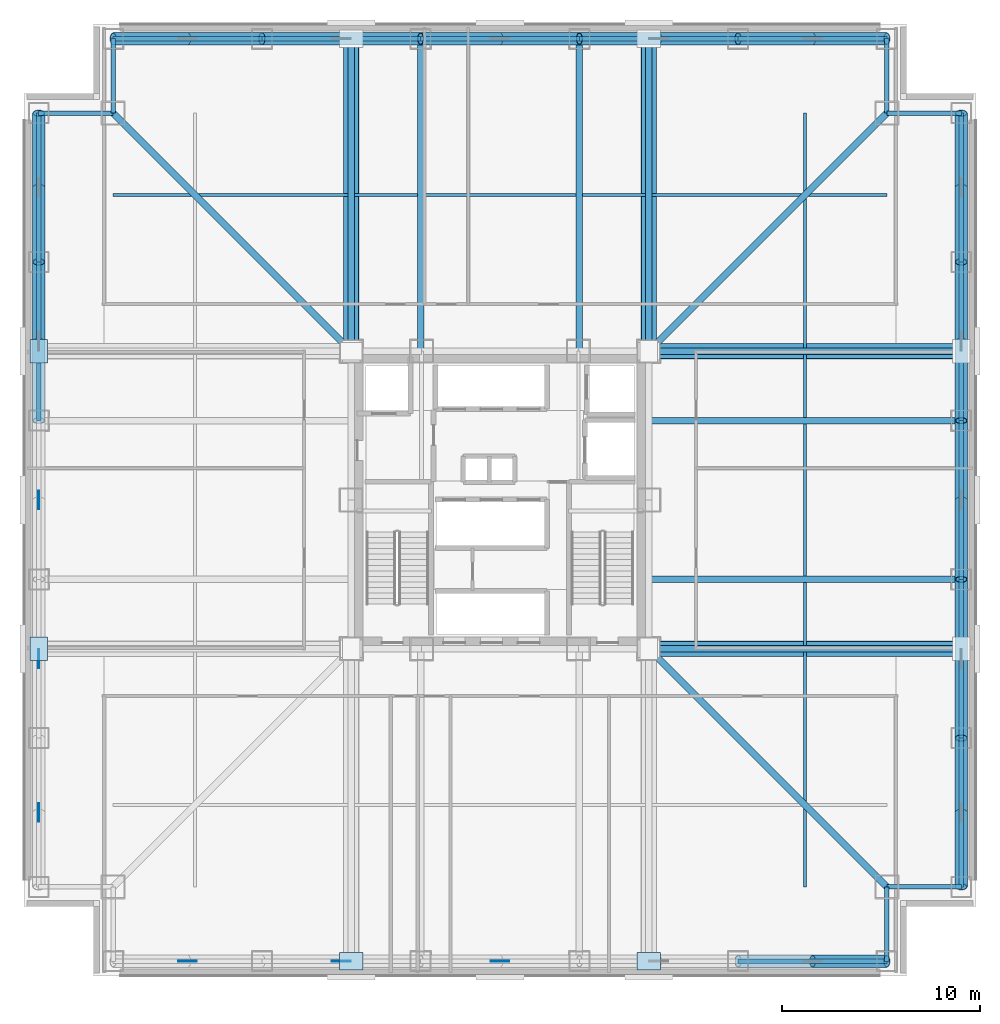
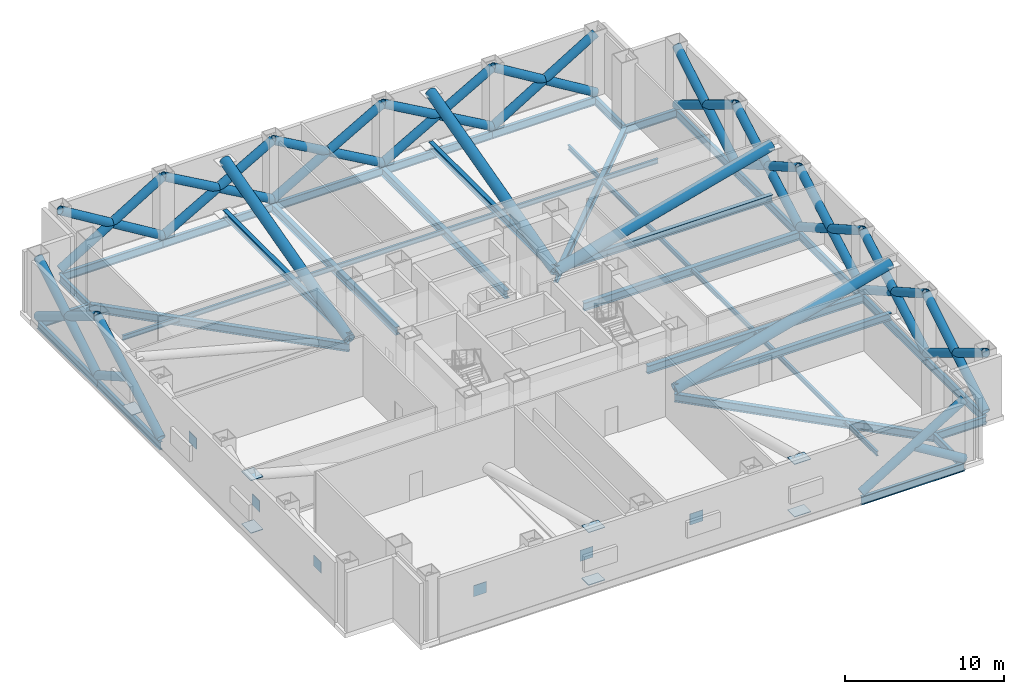
# One storey, part 2 of 8: 45 members, 28 beams, 13 plates.
"""IFC4 building model written with IfcOpenShell, lengths in metres."""

import ifcopenshell
import ifcopenshell.guid

model = None  # the IFC model being written
_history = None  # IfcOwnerHistory: only IFC2X3 demands one
_inside = {}  # id of a spatial element -> (the spatial element, [elements in it])
_under = {}  # id of a project, library or spatial element -> (it, [spatial elements below it])
_declared = {}  # id of a project -> (the project, [libraries it declares])
_typed = {}  # id of a type object -> (the type object, [elements of that type])
_made_of = {}  # id of a material, layer set ... -> (it, [elements and type objects made of it])


def new_model(schema):
    """Start an empty IFC model of exactly this schema.

    Asked for "IFC4X3", IfcOpenShell would pick the latest addendum, in which some entities
    have other attributes; the version numbers below select the first issue.
    IFC2X3 requires an IfcOwnerHistory on every rooted entity: one is made here for all.
    """
    global model, _history
    if schema == "IFC4X3":
        model = ifcopenshell.file(schema_version=(4, 3, 0, 0))
    else:
        model = ifcopenshell.file(schema=schema)
    _inside.clear()
    _under.clear()
    _declared.clear()
    _typed.clear()
    _made_of.clear()
    _history = None
    if model.schema == "IFC2X3":
        org = make("IfcOrganization", Name="unknown")
        user = make(
            "IfcPersonAndOrganization",
            ThePerson=make("IfcPerson", FamilyName="unknown"),
            TheOrganization=org,
        )
        app = make(
            "IfcApplication",
            ApplicationDeveloper=org,
            Version="unknown",
            ApplicationFullName="unknown",
            ApplicationIdentifier="unknown",
        )
        _history = make(
            "IfcOwnerHistory",
            OwningUser=user,
            OwningApplication=app,
            ChangeAction="ADDED",
            CreationDate=0,
        )
    return model


def make(cls, **values):
    """One entity of the class cls with the attributes given. An attribute that is None is left unset."""
    return model.create_entity(
        cls, **{name: value for name, value in values.items() if value is not None}
    )


def rooted(cls, **values):
    """An entity with a GlobalId (a new one), such as an element, a storey or a relation."""
    return make(cls, GlobalId=ifcopenshell.guid.new(), OwnerHistory=_history, **values)


def si_unit(unit_type, name, prefix=None):
    """IfcSIUnit, for example si_unit("LENGTHUNIT", "METRE", prefix="MILLI")."""
    return make("IfcSIUnit", UnitType=unit_type, Prefix=prefix, Name=name)


def assignment(units):
    """IfcUnitAssignment: the units of a project."""
    return None if units is None else make("IfcUnitAssignment", Units=units)


def point(xyz):
    """IfcCartesianPoint."""
    return None if xyz is None else make("IfcCartesianPoint", Coordinates=xyz)


def direction(xyz):
    """IfcDirection."""
    return None if xyz is None else make("IfcDirection", DirectionRatios=xyz)


def frame(location, z_axis=None, x_axis=None):
    """IfcAxis2Placement3D, a coordinate frame: its origin and axes. An axis left out is left unset."""
    return make(
        "IfcAxis2Placement3D",
        Location=point(location),
        Axis=direction(z_axis),
        RefDirection=direction(x_axis),
    )


def frame_2d(location, x_axis=None):
    """IfcAxis2Placement2D, a coordinate frame in the plane: its origin and x axis."""
    return make(
        "IfcAxis2Placement2D", Location=point(location), RefDirection=direction(x_axis)
    )


def origin():
    """The frame at (0, 0, 0) with its axes left unset."""
    return frame((0.0, 0.0, 0.0))


def origin_2d():
    """The frame at (0, 0) in the plane with its x axis left unset."""
    return frame_2d((0.0, 0.0))


def place(relative_to, where):
    """IfcLocalPlacement: puts the frame where relative to a parent placement (None: the world)."""
    return make(
        "IfcLocalPlacement", PlacementRelTo=relative_to, RelativePlacement=where
    )


def context(
    kind, dimensions, precision=None, world=None, true_north=None, identifier=None
):
    """IfcGeometricRepresentationContext, for example the 3D "Model" context."""
    return make(
        "IfcGeometricRepresentationContext",
        ContextIdentifier=identifier,
        ContextType=kind,
        CoordinateSpaceDimension=dimensions,
        Precision=precision,
        WorldCoordinateSystem=world,
        TrueNorth=true_north,
    )


def subcontext(parent, identifier, kind, view, scale=None):
    """IfcGeometricRepresentationSubContext, for example "Body" below "Model"."""
    return make(
        "IfcGeometricRepresentationSubContext",
        ContextIdentifier=identifier,
        ContextType=kind,
        ParentContext=parent,
        TargetScale=scale,
        TargetView=view,
    )


def project(units=None, contexts=None):
    """IfcProject with its units and contexts."""
    return rooted(
        "IfcProject",
        Name="project",
        RepresentationContexts=contexts,
        UnitsInContext=assignment(units),
    )


def spatial(cls, under=None, at=None, **own):
    """A site, building, storey or space (cls), placed at a placement, below another one or the project."""
    s = rooted(cls, ObjectPlacement=at, **own)
    if under is not None:
        _under.setdefault(under.id(), (under, []))[1].append(s)
    return s


def profile(cls, at=None, kind="AREA", **sizes):
    """A parametric profile (cls). Its sizes go by their IFC names, for example OverallWidth=200.0."""
    return make(cls, ProfileType=kind, Position=at, **sizes)


def rectangle(**sizes):
    """IfcRectangleProfileDef."""
    return profile("IfcRectangleProfileDef", **sizes)


def hollow_circle(**sizes):
    """IfcCircleHollowProfileDef."""
    return profile("IfcCircleHollowProfileDef", **sizes)


def i_section(**sizes):
    """IfcIShapeProfileDef."""
    return profile("IfcIShapeProfileDef", **sizes)


def extrude(swept, where, along, depth):
    """IfcExtrudedAreaSolid: the profile swept, set in the frame where, extruded along a direction by depth."""
    return make(
        "IfcExtrudedAreaSolid",
        SweptArea=swept,
        Position=where,
        ExtrudedDirection=direction(along),
        Depth=depth,
    )


def shape(context_of_items, identifier, shape_type, items):
    """IfcShapeRepresentation: the items that make up one representation, for example the "Body"."""
    return make(
        "IfcShapeRepresentation",
        ContextOfItems=context_of_items,
        RepresentationIdentifier=identifier,
        RepresentationType=shape_type,
        Items=items,
    )


def material(Name=None, Category=None):
    """IfcMaterial."""
    return make("IfcMaterial", Name=Name, Category=Category)


def layer(
    of_material, thickness, ventilated=None, Name=None, Category=None, Priority=None
):
    """IfcMaterialLayer: one layer of a wall or slab, of a material (None: an air gap)."""
    return make(
        "IfcMaterialLayer",
        Material=of_material,
        LayerThickness=thickness,
        IsVentilated=ventilated,
        Name=Name,
        Category=Category,
        Priority=Priority,
    )


def layer_set(layers, Name=None):
    """IfcMaterialLayerSet."""
    return make("IfcMaterialLayerSet", MaterialLayers=layers, LayerSetName=Name)


def material_profile(
    of_material, cross_section, Name=None, Category=None, Priority=None
):
    """IfcMaterialProfile: a cross section and its material."""
    return make(
        "IfcMaterialProfile",
        Name=Name,
        Material=of_material,
        Profile=cross_section,
        Priority=Priority,
        Category=Category,
    )


def profile_set(profiles, Name=None, composite=None):
    """IfcMaterialProfileSet."""
    return make(
        "IfcMaterialProfileSet",
        Name=Name,
        MaterialProfiles=profiles,
        CompositeProfile=composite,
    )


def made_of(thing, what):
    """Note that an element or type object is made of a material, layer set ...; save() writes the relation."""
    if what is not None:
        _made_of.setdefault(what.id(), (what, []))[1].append(thing)
    return thing


def type_object(cls, material=None, **own):
    """A type object (cls), such as IfcWallType, which elements share."""
    return made_of(rooted(cls, **own), material)


def element(
    cls,
    number,
    at=None,
    inside=None,
    cuts=None,
    type_object=None,
    material=None,
    context=None,
    identifier="Body",
    shape_type=None,
    held_by="IfcProductDefinitionShape",
    body=None,
    shapes=None,
    **own,
):
    """One element of the class cls, such as IfcWall. Its Tag is "e" and its number.

    at: its placement. inside: the storey or other place that contains it. cuts: it is an
    opening in that element (IfcRelVoidsElement). A single representation is given by context,
    identifier, shape_type and body (its items); several are given by shapes. held_by: the class
    of the entity that holds the representations. save() writes the other relations.
    """
    e = rooted(cls, Tag="e%d" % number, ObjectPlacement=at, **own)
    if body is not None:
        shapes = [shape(context, identifier, shape_type, body)]
    if shapes is not None:
        e.Representation = make(held_by, Representations=shapes)
    if inside is not None:
        _inside.setdefault(inside.id(), (inside, []))[1].append(e)
    if cuts is not None:
        rooted(
            "IfcRelVoidsElement", RelatingBuildingElement=cuts, RelatedOpeningElement=e
        )
    if type_object is not None:
        _typed.setdefault(type_object.id(), (type_object, []))[1].append(e)
    return made_of(e, material)


def aggregate(whole, parts):
    """IfcRelAggregates: a whole, such as a stair, and the parts it consists of."""
    return rooted("IfcRelAggregates", RelatingObject=whole, RelatedObjects=parts)


def save(model, path):
    """Write the relations noted so far, then the file.

    IfcRelAggregates (storeys below a building ...), IfcRelContainedInSpatialStructure (elements
    in a storey), IfcRelDefinesByType, IfcRelAssociatesMaterial and IfcRelDeclares: one each for
    every whole, place, type object, material and project.
    """
    for whole, parts in _under.values():
        aggregate(whole, parts)
    for where, things in _inside.values():
        rooted(
            "IfcRelContainedInSpatialStructure",
            RelatedElements=things,
            RelatingStructure=where,
        )
    for kind, things in _typed.values():
        rooted("IfcRelDefinesByType", RelatedObjects=things, RelatingType=kind)
    for what, things in _made_of.values():
        rooted("IfcRelAssociatesMaterial", RelatedObjects=things, RelatingMaterial=what)
    for by, libraries in _declared.values():
        rooted("IfcRelDeclares", RelatingContext=by, RelatedDefinitions=libraries)
    model.write(path)


model = new_model("IFC4")

# Units and contexts
model_context = context("Model", 3, precision=1e-05, world=origin(), true_north=direction((0.0, 1.0)))
body_context = subcontext(model_context, "Body", "Model", "MODEL_VIEW")
ifc_project = project(units=[si_unit("LENGTHUNIT", "METRE"), si_unit("AREAUNIT", "SQUARE_METRE"), si_unit("VOLUMEUNIT", "CUBIC_METRE"), si_unit("PLANEANGLEUNIT", "RADIAN"), si_unit("MASSUNIT", "GRAM", prefix="KILO")], contexts=[model_context])

# Site, building, storey
site_placement = place(None, origin())
site = spatial("IfcSite", under=ifc_project, at=site_placement, CompositionType="ELEMENT")
building_placement = place(site_placement, origin())
building = spatial("IfcBuilding", under=site, at=building_placement, Name="Trevonay Congress Spire", CompositionType="ELEMENT")
storey_placement = place(building_placement, frame((0.0, 0.0, 83.0)))
storey = spatial("IfcBuildingStorey", under=building, at=storey_placement, Name="L21", CompositionType="ELEMENT", Elevation=83.0)

# Beams
ifc_material = material(Name="Steel ASTM A572 Grade 50", Category="steel")
ifc_material_profile_1 = material_profile(ifc_material, i_section(OverallWidth=0.324951171875, OverallDepth=0.615966796875, WebThickness=0.013916015625, FlangeThickness=0.021484375, FilletRadius=0.01806640625, at=origin_2d()), Name="W610x174")
ifc_profile_set_1 = profile_set([ifc_material_profile_1], Name="Steel ASTM A572 Grade 50")
beam_type_1 = type_object("IfcBeamType", Name="BM-GIRD-W610X174", PredefinedType="BEAM", material=ifc_profile_set_1)
for number, where, z_axis, x_axis, name in (
    (1, (7.5, -7.5, -0.657958984375), (0.707106781187, -0.707106781187, 0.0), (0.707106781187, 0.707106781187, 0.0), "L21 structural beam BM-L21-CDSE"),
    (2, (7.5, 7.5, -0.657958984375), (0.707106781187, 0.707106781187, 0.0), (-0.707106781187, 0.707106781187, 0.0), "L21 structural beam BM-L21-CDNE"),
    (3, (-7.5, 7.5, -0.657958984375), (-0.707106781187, 0.707106781187, 0.0), (-0.707106781187, -0.707106781187, 0.0), "L21 structural beam BM-L21-CDNW"),
):
    element("IfcBeam", number, at=place(storey_placement, frame(where, z_axis=z_axis, x_axis=x_axis)), inside=storey, type_object=beam_type_1, Name=name, PredefinedType="BEAM", context=body_context, shape_type="SweptSolid", body=[
        extrude(i_section(OverallWidth=0.324951171875, OverallDepth=0.615966796875, WebThickness=0.013916015625, FlangeThickness=0.021484375, FilletRadius=0.01806640625, at=origin_2d()), origin(), (0.0, 0.0, 1.0), 16.970458984375),
    ])
for number, where, z_axis, x_axis, name in (
    (4, (-4.0, 7.5, -0.657958984375), (0.0, 1.0, 0.0), (-1.0, 0.0, 0.0), "L21 structural beam BM-L21-GN-M"),
    (5, (7.5, -4.0, -0.657958984375), (1.0, 0.0, 0.0), (0.0, 1.0, 0.0), "L21 structural beam BM-L21-GE-M"),
    (6, (4.0, 7.5, -0.657958984375), (0.0, 1.0, 0.0), (-1.0, 0.0, 0.0), "L21 structural beam BM-L21-GN-P"),
    (7, (7.5, 4.0, -0.657958984375), (1.0, 0.0, 0.0), (0.0, 1.0, 0.0), "L21 structural beam BM-L21-GE-P"),
):
    element("IfcBeam", number, at=place(storey_placement, frame(where, z_axis=z_axis, x_axis=x_axis)), inside=storey, type_object=beam_type_1, Name=name, PredefinedType="BEAM", context=body_context, shape_type="SweptSolid", body=[
        extrude(i_section(OverallWidth=0.324951171875, OverallDepth=0.615966796875, WebThickness=0.013916015625, FlangeThickness=0.021484375, FilletRadius=0.01806640625, at=origin_2d()), origin(), (0.0, 0.0, 1.0), 15.75),
    ])
ifc_material_profile_2 = material_profile(ifc_material, i_section(OverallWidth=0.22998046875, OverallDepth=0.616943359375, WebThickness=0.01318359375, FlangeThickness=0.022216796875, FilletRadius=0.01611328125, at=origin_2d()), Name="W610x140")
ifc_profile_set_2 = profile_set([ifc_material_profile_2], Name="Steel ASTM A572 Grade 50")
beam_type_2 = type_object("IfcBeamType", Name="BM-RING-W610X140", PredefinedType="BEAM", material=ifc_profile_set_2)
for number, where, z_axis, x_axis, name in (
    (8, (-19.5, 23.25, -0.658447265625), (1.0, 0.0, 0.0), (0.0, 1.0, 0.0), "L21 structural beam BM-L21-PN1"),
    (9, (23.25, -19.5, -0.658447265625), (0.0, 1.0, 0.0), (-1.0, 0.0, 0.0), "L21 structural beam BM-L21-PE1"),
):
    element("IfcBeam", number, at=place(storey_placement, frame(where, z_axis=z_axis, x_axis=x_axis)), inside=storey, type_object=beam_type_2, Name=name, PredefinedType="BEAM", context=body_context, shape_type="SweptSolid", body=[
        extrude(i_section(OverallWidth=0.22998046875, OverallDepth=0.616943359375, WebThickness=0.01318359375, FlangeThickness=0.022216796875, FilletRadius=0.01611328125, at=origin_2d()), origin(), (0.0, 0.0, 1.0), 7.5),
    ])
for number, where, z_axis, x_axis, name in (
    (10, (-12.0, 23.25, -0.658447265625), (1.0, 0.0, 0.0), (0.0, 1.0, 0.0), "L21 structural beam BM-L21-PN2"),
    (11, (23.25, -12.0, -0.658447265625), (0.0, 1.0, 0.0), (-1.0, 0.0, 0.0), "L21 structural beam BM-L21-PE2"),
    (12, (-4.0, 23.25, -0.658447265625), (1.0, 0.0, 0.0), (0.0, 1.0, 0.0), "L21 structural beam BM-L21-PN3"),
    (13, (23.25, -4.0, -0.658447265625), (0.0, 1.0, 0.0), (-1.0, 0.0, 0.0), "L21 structural beam BM-L21-PE3"),
    (14, (4.0, 23.25, -0.658447265625), (1.0, 0.0, 0.0), (0.0, 1.0, 0.0), "L21 structural beam BM-L21-PN4"),
    (15, (-23.25, 4.0, -0.658447265625), (0.0, 1.0, 0.0), (-1.0, 0.0, 0.0), "L21 structural beam BM-L21-PW4"),
    (16, (23.25, 4.0, -0.658447265625), (0.0, 1.0, 0.0), (-1.0, 0.0, 0.0), "L21 structural beam BM-L21-PE4"),
):
    element("IfcBeam", number, at=place(storey_placement, frame(where, z_axis=z_axis, x_axis=x_axis)), inside=storey, type_object=beam_type_2, Name=name, PredefinedType="BEAM", context=body_context, shape_type="SweptSolid", body=[
        extrude(i_section(OverallWidth=0.22998046875, OverallDepth=0.616943359375, WebThickness=0.01318359375, FlangeThickness=0.022216796875, FilletRadius=0.01611328125, at=origin_2d()), origin(), (0.0, 0.0, 1.0), 8.0),
    ])
for number, where, z_axis, x_axis, name in (
    (17, (12.0, -23.25, -0.658447265625), (1.0, 0.0, 0.0), (0.0, 1.0, 0.0), "L21 structural beam BM-L21-PS5"),
    (18, (12.0, 23.25, -0.658447265625), (1.0, 0.0, 0.0), (0.0, 1.0, 0.0), "L21 structural beam BM-L21-PN5"),
    (19, (-23.25, 12.0, -0.658447265625), (0.0, 1.0, 0.0), (-1.0, 0.0, 0.0), "L21 structural beam BM-L21-PW5"),
    (20, (23.25, 12.0, -0.658447265625), (0.0, 1.0, 0.0), (-1.0, 0.0, 0.0), "L21 structural beam BM-L21-PE5"),
):
    element("IfcBeam", number, at=place(storey_placement, frame(where, z_axis=z_axis, x_axis=x_axis)), inside=storey, type_object=beam_type_2, Name=name, PredefinedType="BEAM", context=body_context, shape_type="SweptSolid", body=[
        extrude(i_section(OverallWidth=0.22998046875, OverallDepth=0.616943359375, WebThickness=0.01318359375, FlangeThickness=0.022216796875, FilletRadius=0.01611328125, at=origin_2d()), origin(), (0.0, 0.0, 1.0), 7.5),
    ])
for number, where, z_axis, x_axis, name in (
    (21, (19.5, -23.25, -0.658447265625), (0.0, 1.0, 0.0), (-1.0, 0.0, 0.0), "L21 structural beam BM-L21-N1SE"),
    (22, (23.25, -19.5, -0.658447265625), (-1.0, 0.0, 0.0), (0.0, -1.0, 0.0), "L21 structural beam BM-L21-N2SE"),
    (23, (19.5, 23.25, -0.658447265625), (0.0, -1.0, 0.0), (1.0, 0.0, 0.0), "L21 structural beam BM-L21-N1NE"),
    (24, (23.25, 19.5, -0.658447265625), (-1.0, 0.0, 0.0), (0.0, -1.0, 0.0), "L21 structural beam BM-L21-N2NE"),
    (25, (-19.5, 23.25, -0.658447265625), (0.0, -1.0, 0.0), (1.0, 0.0, 0.0), "L21 structural beam BM-L21-N1NW"),
    (26, (-23.25, 19.5, -0.658447265625), (1.0, 0.0, 0.0), (0.0, 1.0, 0.0), "L21 structural beam BM-L21-N2NW"),
):
    element("IfcBeam", number, at=place(storey_placement, frame(where, z_axis=z_axis, x_axis=x_axis)), inside=storey, type_object=beam_type_2, Name=name, PredefinedType="BEAM", context=body_context, shape_type="SweptSolid", body=[
        extrude(i_section(OverallWidth=0.22998046875, OverallDepth=0.616943359375, WebThickness=0.01318359375, FlangeThickness=0.022216796875, FilletRadius=0.01611328125, at=origin_2d()), origin(), (0.0, 0.0, 1.0), 3.75),
    ])
ifc_material_profile_3 = material_profile(ifc_material, i_section(OverallWidth=0.172119140625, OverallDepth=0.35791015625, WebThickness=0.0078125, FlangeThickness=0.01318359375, FilletRadius=0.011962890625, at=origin_2d()), Name="W360x57.8")
ifc_profile_set_3 = profile_set([ifc_material_profile_3], Name="Steel ASTM A572 Grade 50")
beam_type_3 = type_object("IfcBeamType", Name="JS-COMP-W360X57", PredefinedType="JOIST", material=ifc_profile_set_3)
for number, where, z_axis, x_axis, name in (
    (27, (-19.5, 15.375, -0.529052734375), (1.0, 0.0, 0.0), (0.0, 1.0, 0.0), "L21 structural beam JS-L21-RING-N"),
    (28, (15.375, -19.5, -0.529052734375), (0.0, 1.0, 0.0), (-1.0, 0.0, 0.0), "L21 structural beam JS-L21-RING-E"),
):
    element("IfcBeam", number, at=place(storey_placement, frame(where, z_axis=z_axis, x_axis=x_axis)), inside=storey, type_object=beam_type_3, Name=name, PredefinedType="JOIST", context=body_context, shape_type="SweptSolid", body=[
        extrude(i_section(OverallWidth=0.172119140625, OverallDepth=0.35791015625, WebThickness=0.0078125, FlangeThickness=0.01318359375, FilletRadius=0.011962890625, at=origin_2d()), origin(), (0.0, 0.0, 1.0), 39.0),
    ])

# Members
ifc_material_profile_4 = material_profile(ifc_material, i_section(OverallWidth=0.31201171875, OverallDepth=0.54296875, WebThickness=0.0126953125, FlangeThickness=0.020263671875, FilletRadius=0.014892578125, at=origin_2d()), Name="W530x150")
ifc_profile_set_4 = profile_set([ifc_material_profile_4], Name="Steel ASTM A572 Grade 50")
member_type_1 = type_object("IfcMemberType", Name="MBR-CHORD-HSS500", PredefinedType="CHORD", material=ifc_profile_set_4)
for number, where, z_axis, x_axis, name in (
    (29, (-7.5, 7.5, 0.10009765625), (0.0, 1.0, 0.0), (-1.0, 0.0, 0.0), "L21 outrigger bottom chord ON-W"),
    (30, (7.5, 7.5, 0.10009765625), (0.0, 1.0, 0.0), (-1.0, 0.0, 0.0), "L21 outrigger bottom chord ON-E"),
    (31, (7.5, -7.5, 0.10009765625), (1.0, 0.0, 0.0), (0.0, 1.0, 0.0), "L21 outrigger bottom chord OE-S"),
    (32, (7.5, 7.5, 0.10009765625), (1.0, 0.0, 0.0), (0.0, 1.0, 0.0), "L21 outrigger bottom chord OE-N"),
):
    element("IfcMember", number, at=place(storey_placement, frame(where, z_axis=z_axis, x_axis=x_axis)), inside=storey, type_object=member_type_1, Name=name, PredefinedType="CHORD", context=body_context, shape_type="SweptSolid", body=[
        extrude(i_section(OverallWidth=0.31201171875, OverallDepth=0.54296875, WebThickness=0.0126953125, FlangeThickness=0.020263671875, FilletRadius=0.014892578125, at=origin_2d()), origin(), (0.0, 0.0, 1.0), 15.75),
    ])
ifc_material_profile_5 = material_profile(ifc_material, hollow_circle(Radius=0.381103515625, WallThickness=0.0400390625, at=origin_2d()), Name="CHS 762x40")
ifc_profile_set_5 = profile_set([ifc_material_profile_5], Name="Steel ASTM A572 Grade 50")
member_type_2 = type_object("IfcMemberType", Name="MBR-OUTRIG-CHS762", PredefinedType="BRACE", material=ifc_profile_set_5)
for number, where, z_axis, x_axis, name in (
    (33, (-7.5, 7.5, -0.050048828125), (0.0, 0.96623568537, 0.25765985391), (-1.0, 0.0, 0.0), "L21 outrigger diagonal ON-W"),
    (34, (7.5, 7.5, -0.050048828125), (0.0, 0.96623568537, 0.25765985391), (-1.0, 0.0, 0.0), "L21 outrigger diagonal ON-E"),
    (35, (7.5, -7.5, -0.050048828125), (0.96623568537, 0.0, 0.25765985391), (0.0, 1.0, 0.0), "L21 outrigger diagonal OE-S"),
    (36, (7.5, 7.5, -0.050048828125), (0.96623568537, 0.0, 0.25765985391), (0.0, 1.0, 0.0), "L21 outrigger diagonal OE-N"),
):
    element("IfcMember", number, at=place(storey_placement, frame(where, z_axis=z_axis, x_axis=x_axis)), inside=storey, type_object=member_type_2, Name=name, PredefinedType="BRACE", context=body_context, shape_type="SweptSolid", body=[
        extrude(hollow_circle(Radius=0.381103515625, WallThickness=0.0400390625, at=origin_2d()), origin(), (0.0, 0.0, 1.0), 16.30029296875),
    ])
ifc_material_profile_6 = material_profile(ifc_material, hollow_circle(Radius=0.304931640625, WallThickness=0.031982421875, at=origin_2d()), Name="CHS 610x32")
ifc_profile_set_6 = profile_set([ifc_material_profile_6], Name="Steel ASTM A572 Grade 50")
member_type_3 = type_object("IfcMemberType", Name="MBR-TUBE-CHS610", PredefinedType="BRACE", material=ifc_profile_set_6)
member_1_placement = place(storey_placement, frame((12.0, -23.25, -0.050048828125), z_axis=(0.85496560345, 0.0, 0.518684698942), x_axis=(0.0, 1.0, 0.0)))
element("IfcMember", 37, at=member_1_placement, inside=storey, type_object=member_type_3, Name="L21 continuous belt truss diagonal S4-1", PredefinedType="BRACE", context=body_context, shape_type="SweptSolid", body=[
    extrude(hollow_circle(Radius=0.304931640625, WallThickness=0.031982421875, at=origin_2d()), origin(), (0.0, 0.0, 1.0), 8.772216796875),
])
member_2_placement = place(storey_placement, frame((15.75, -23.25, 2.22509765625), z_axis=(0.854953261558, 0.0, -0.518705041957), x_axis=(0.0, 1.0, 0.0)))
element("IfcMember", 38, at=member_2_placement, inside=storey, type_object=member_type_3, Name="L21 split belt truss diagonal segment S4-2B", PredefinedType="BRACE", context=body_context, shape_type="SweptSolid", body=[
    extrude(hollow_circle(Radius=0.304931640625, WallThickness=0.031982421875, at=origin_2d()), origin(), (0.0, 0.0, 1.0), 4.38623046875),
])
member_3_placement = place(storey_placement, frame((-19.5, 23.25, -0.050048828125), z_axis=(0.85496560345, 0.0, 0.518684698942), x_axis=(0.0, 1.0, 0.0)))
element("IfcMember", 39, at=member_3_placement, inside=storey, type_object=member_type_3, Name="L21 continuous belt truss diagonal N0-1", PredefinedType="BRACE", context=body_context, shape_type="SweptSolid", body=[
    extrude(hollow_circle(Radius=0.304931640625, WallThickness=0.031982421875, at=origin_2d()), origin(), (0.0, 0.0, 1.0), 8.772216796875),
])
member_4_placement = place(storey_placement, frame((-19.5, 23.25, 4.5), z_axis=(0.854977945215, 0.0, -0.518664355046), x_axis=(0.0, 1.0, 0.0)))
element("IfcMember", 40, at=member_4_placement, inside=storey, type_object=member_type_3, Name="L21 split belt truss diagonal segment N0-2A", PredefinedType="BRACE", context=body_context, shape_type="SweptSolid", body=[
    extrude(hollow_circle(Radius=0.304931640625, WallThickness=0.031982421875, at=origin_2d()), origin(), (0.0, 0.0, 1.0), 4.385986328125),
])
member_5_placement = place(storey_placement, frame((-15.75, 23.25, 2.22509765625), z_axis=(0.854953261558, 0.0, -0.518705041957), x_axis=(0.0, 1.0, 0.0)))
element("IfcMember", 41, at=member_5_placement, inside=storey, type_object=member_type_3, Name="L21 split belt truss diagonal segment N0-2B", PredefinedType="BRACE", context=body_context, shape_type="SweptSolid", body=[
    extrude(hollow_circle(Radius=0.304931640625, WallThickness=0.031982421875, at=origin_2d()), origin(), (0.0, 0.0, 1.0), 4.38623046875),
])
member_6_placement = place(storey_placement, frame((-12.0, 23.25, -0.050048828125), z_axis=(0.869242062276, 0.0, 0.494386728352), x_axis=(0.0, 1.0, 0.0)))
element("IfcMember", 42, at=member_6_placement, inside=storey, type_object=member_type_3, Name="L21 continuous belt truss diagonal N1-1", PredefinedType="BRACE", context=body_context, shape_type="SweptSolid", body=[
    extrude(hollow_circle(Radius=0.304931640625, WallThickness=0.031982421875, at=origin_2d()), origin(), (0.0, 0.0, 1.0), 9.203369140625),
])
member_7_placement = place(storey_placement, frame((-12.0, 23.25, 4.5), z_axis=(0.869253462023, 0.0, -0.494366684517), x_axis=(0.0, 1.0, 0.0)))
element("IfcMember", 43, at=member_7_placement, inside=storey, type_object=member_type_3, Name="L21 split belt truss diagonal segment N1-2A", PredefinedType="BRACE", context=body_context, shape_type="SweptSolid", body=[
    extrude(hollow_circle(Radius=0.304931640625, WallThickness=0.031982421875, at=origin_2d()), origin(), (0.0, 0.0, 1.0), 4.6015625),
])
member_8_placement = place(storey_placement, frame((-8.0, 23.25, 2.22509765625), z_axis=(0.869230662365, 0.0, -0.494406771398), x_axis=(0.0, 1.0, 0.0)))
element("IfcMember", 44, at=member_8_placement, inside=storey, type_object=member_type_3, Name="L21 split belt truss diagonal segment N1-2B", PredefinedType="BRACE", context=body_context, shape_type="SweptSolid", body=[
    extrude(hollow_circle(Radius=0.304931640625, WallThickness=0.031982421875, at=origin_2d()), origin(), (0.0, 0.0, 1.0), 4.601806640625),
])
member_9_placement = place(storey_placement, frame((-4.0, 23.25, -0.050048828125), z_axis=(0.869242062276, 0.0, 0.494386728352), x_axis=(0.0, 1.0, 0.0)))
element("IfcMember", 45, at=member_9_placement, inside=storey, type_object=member_type_3, Name="L21 continuous belt truss diagonal N2-1", PredefinedType="BRACE", context=body_context, shape_type="SweptSolid", body=[
    extrude(hollow_circle(Radius=0.304931640625, WallThickness=0.031982421875, at=origin_2d()), origin(), (0.0, 0.0, 1.0), 9.203369140625),
])
member_10_placement = place(storey_placement, frame((-4.0, 23.25, 4.5), z_axis=(0.869253462023, 0.0, -0.494366684517), x_axis=(0.0, 1.0, 0.0)))
element("IfcMember", 46, at=member_10_placement, inside=storey, type_object=member_type_3, Name="L21 split belt truss diagonal segment N2-2A", PredefinedType="BRACE", context=body_context, shape_type="SweptSolid", body=[
    extrude(hollow_circle(Radius=0.304931640625, WallThickness=0.031982421875, at=origin_2d()), origin(), (0.0, 0.0, 1.0), 4.6015625),
])
member_11_placement = place(storey_placement, frame((0.0, 23.25, 2.22509765625), z_axis=(0.869230662365, 0.0, -0.494406771398), x_axis=(0.0, 1.0, 0.0)))
element("IfcMember", 47, at=member_11_placement, inside=storey, type_object=member_type_3, Name="L21 split belt truss diagonal segment N2-2B", PredefinedType="BRACE", context=body_context, shape_type="SweptSolid", body=[
    extrude(hollow_circle(Radius=0.304931640625, WallThickness=0.031982421875, at=origin_2d()), origin(), (0.0, 0.0, 1.0), 4.601806640625),
])
member_12_placement = place(storey_placement, frame((4.0, 23.25, -0.050048828125), z_axis=(0.869242062276, 0.0, 0.494386728352), x_axis=(0.0, 1.0, 0.0)))
element("IfcMember", 48, at=member_12_placement, inside=storey, type_object=member_type_3, Name="L21 continuous belt truss diagonal N3-1", PredefinedType="BRACE", context=body_context, shape_type="SweptSolid", body=[
    extrude(hollow_circle(Radius=0.304931640625, WallThickness=0.031982421875, at=origin_2d()), origin(), (0.0, 0.0, 1.0), 9.203369140625),
])
member_13_placement = place(storey_placement, frame((4.0, 23.25, 4.5), z_axis=(0.869253462023, 0.0, -0.494366684517), x_axis=(0.0, 1.0, 0.0)))
element("IfcMember", 49, at=member_13_placement, inside=storey, type_object=member_type_3, Name="L21 split belt truss diagonal segment N3-2A", PredefinedType="BRACE", context=body_context, shape_type="SweptSolid", body=[
    extrude(hollow_circle(Radius=0.304931640625, WallThickness=0.031982421875, at=origin_2d()), origin(), (0.0, 0.0, 1.0), 4.6015625),
])
member_14_placement = place(storey_placement, frame((8.0, 23.25, 2.22509765625), z_axis=(0.869230662365, 0.0, -0.494406771398), x_axis=(0.0, 1.0, 0.0)))
element("IfcMember", 50, at=member_14_placement, inside=storey, type_object=member_type_3, Name="L21 split belt truss diagonal segment N3-2B", PredefinedType="BRACE", context=body_context, shape_type="SweptSolid", body=[
    extrude(hollow_circle(Radius=0.304931640625, WallThickness=0.031982421875, at=origin_2d()), origin(), (0.0, 0.0, 1.0), 4.601806640625),
])
member_15_placement = place(storey_placement, frame((12.0, 23.25, -0.050048828125), z_axis=(0.85496560345, 0.0, 0.518684698942), x_axis=(0.0, 1.0, 0.0)))
element("IfcMember", 51, at=member_15_placement, inside=storey, type_object=member_type_3, Name="L21 continuous belt truss diagonal N4-1", PredefinedType="BRACE", context=body_context, shape_type="SweptSolid", body=[
    extrude(hollow_circle(Radius=0.304931640625, WallThickness=0.031982421875, at=origin_2d()), origin(), (0.0, 0.0, 1.0), 8.772216796875),
])
member_16_placement = place(storey_placement, frame((12.0, 23.25, 4.5), z_axis=(0.854977945215, 0.0, -0.518664355046), x_axis=(0.0, 1.0, 0.0)))
element("IfcMember", 52, at=member_16_placement, inside=storey, type_object=member_type_3, Name="L21 split belt truss diagonal segment N4-2A", PredefinedType="BRACE", context=body_context, shape_type="SweptSolid", body=[
    extrude(hollow_circle(Radius=0.304931640625, WallThickness=0.031982421875, at=origin_2d()), origin(), (0.0, 0.0, 1.0), 4.385986328125),
])
member_17_placement = place(storey_placement, frame((15.75, 23.25, 2.22509765625), z_axis=(0.854953261558, 0.0, -0.518705041957), x_axis=(0.0, 1.0, 0.0)))
element("IfcMember", 53, at=member_17_placement, inside=storey, type_object=member_type_3, Name="L21 split belt truss diagonal segment N4-2B", PredefinedType="BRACE", context=body_context, shape_type="SweptSolid", body=[
    extrude(hollow_circle(Radius=0.304931640625, WallThickness=0.031982421875, at=origin_2d()), origin(), (0.0, 0.0, 1.0), 4.38623046875),
])
member_18_placement = place(storey_placement, frame((-23.25, 4.0, -0.050048828125), z_axis=(0.0, 0.869242062276, 0.494386728352), x_axis=(-1.0, 0.0, 0.0)))
element("IfcMember", 54, at=member_18_placement, inside=storey, type_object=member_type_3, Name="L21 continuous belt truss diagonal W3-1", PredefinedType="BRACE", context=body_context, shape_type="SweptSolid", body=[
    extrude(hollow_circle(Radius=0.304931640625, WallThickness=0.031982421875, at=origin_2d()), origin(), (0.0, 0.0, 1.0), 9.203369140625),
])
member_19_placement = place(storey_placement, frame((-23.25, 8.0, 2.22509765625), z_axis=(0.0, 0.869230662365, -0.494406771398), x_axis=(-1.0, 0.0, 0.0)))
element("IfcMember", 55, at=member_19_placement, inside=storey, type_object=member_type_3, Name="L21 split belt truss diagonal segment W3-2B", PredefinedType="BRACE", context=body_context, shape_type="SweptSolid", body=[
    extrude(hollow_circle(Radius=0.304931640625, WallThickness=0.031982421875, at=origin_2d()), origin(), (0.0, 0.0, 1.0), 4.601806640625),
])
member_20_placement = place(storey_placement, frame((-23.25, 12.0, -0.050048828125), z_axis=(0.0, 0.85496560345, 0.518684698942), x_axis=(-1.0, 0.0, 0.0)))
element("IfcMember", 56, at=member_20_placement, inside=storey, type_object=member_type_3, Name="L21 continuous belt truss diagonal W4-1", PredefinedType="BRACE", context=body_context, shape_type="SweptSolid", body=[
    extrude(hollow_circle(Radius=0.304931640625, WallThickness=0.031982421875, at=origin_2d()), origin(), (0.0, 0.0, 1.0), 8.772216796875),
])
member_21_placement = place(storey_placement, frame((-23.25, 12.0, 4.5), z_axis=(0.0, 0.854977945215, -0.518664355046), x_axis=(-1.0, 0.0, 0.0)))
element("IfcMember", 57, at=member_21_placement, inside=storey, type_object=member_type_3, Name="L21 split belt truss diagonal segment W4-2A", PredefinedType="BRACE", context=body_context, shape_type="SweptSolid", body=[
    extrude(hollow_circle(Radius=0.304931640625, WallThickness=0.031982421875, at=origin_2d()), origin(), (0.0, 0.0, 1.0), 4.385986328125),
])
member_22_placement = place(storey_placement, frame((-23.25, 15.75, 2.22509765625), z_axis=(0.0, 0.854953261558, -0.518705041957), x_axis=(-1.0, 0.0, 0.0)))
element("IfcMember", 58, at=member_22_placement, inside=storey, type_object=member_type_3, Name="L21 split belt truss diagonal segment W4-2B", PredefinedType="BRACE", context=body_context, shape_type="SweptSolid", body=[
    extrude(hollow_circle(Radius=0.304931640625, WallThickness=0.031982421875, at=origin_2d()), origin(), (0.0, 0.0, 1.0), 4.38623046875),
])
member_23_placement = place(storey_placement, frame((23.25, -19.5, -0.050048828125), z_axis=(0.0, 0.85496560345, 0.518684698942), x_axis=(-1.0, 0.0, 0.0)))
element("IfcMember", 59, at=member_23_placement, inside=storey, type_object=member_type_3, Name="L21 continuous belt truss diagonal E0-1", PredefinedType="BRACE", context=body_context, shape_type="SweptSolid", body=[
    extrude(hollow_circle(Radius=0.304931640625, WallThickness=0.031982421875, at=origin_2d()), origin(), (0.0, 0.0, 1.0), 8.772216796875),
])
member_24_placement = place(storey_placement, frame((23.25, -19.5, 4.5), z_axis=(0.0, 0.854977945215, -0.518664355046), x_axis=(-1.0, 0.0, 0.0)))
element("IfcMember", 60, at=member_24_placement, inside=storey, type_object=member_type_3, Name="L21 split belt truss diagonal segment E0-2A", PredefinedType="BRACE", context=body_context, shape_type="SweptSolid", body=[
    extrude(hollow_circle(Radius=0.304931640625, WallThickness=0.031982421875, at=origin_2d()), origin(), (0.0, 0.0, 1.0), 4.385986328125),
])
member_25_placement = place(storey_placement, frame((23.25, -15.75, 2.22509765625), z_axis=(0.0, 0.854953261558, -0.518705041957), x_axis=(-1.0, 0.0, 0.0)))
element("IfcMember", 61, at=member_25_placement, inside=storey, type_object=member_type_3, Name="L21 split belt truss diagonal segment E0-2B", PredefinedType="BRACE", context=body_context, shape_type="SweptSolid", body=[
    extrude(hollow_circle(Radius=0.304931640625, WallThickness=0.031982421875, at=origin_2d()), origin(), (0.0, 0.0, 1.0), 4.38623046875),
])
member_26_placement = place(storey_placement, frame((23.25, -12.0, -0.050048828125), z_axis=(0.0, 0.869242062276, 0.494386728352), x_axis=(-1.0, 0.0, 0.0)))
element("IfcMember", 62, at=member_26_placement, inside=storey, type_object=member_type_3, Name="L21 continuous belt truss diagonal E1-1", PredefinedType="BRACE", context=body_context, shape_type="SweptSolid", body=[
    extrude(hollow_circle(Radius=0.304931640625, WallThickness=0.031982421875, at=origin_2d()), origin(), (0.0, 0.0, 1.0), 9.203369140625),
])
member_27_placement = place(storey_placement, frame((23.25, -12.0, 4.5), z_axis=(0.0, 0.869253462023, -0.494366684517), x_axis=(-1.0, 0.0, 0.0)))
element("IfcMember", 63, at=member_27_placement, inside=storey, type_object=member_type_3, Name="L21 split belt truss diagonal segment E1-2A", PredefinedType="BRACE", context=body_context, shape_type="SweptSolid", body=[
    extrude(hollow_circle(Radius=0.304931640625, WallThickness=0.031982421875, at=origin_2d()), origin(), (0.0, 0.0, 1.0), 4.6015625),
])
member_28_placement = place(storey_placement, frame((23.25, -8.0, 2.22509765625), z_axis=(0.0, 0.869230662365, -0.494406771398), x_axis=(-1.0, 0.0, 0.0)))
element("IfcMember", 64, at=member_28_placement, inside=storey, type_object=member_type_3, Name="L21 split belt truss diagonal segment E1-2B", PredefinedType="BRACE", context=body_context, shape_type="SweptSolid", body=[
    extrude(hollow_circle(Radius=0.304931640625, WallThickness=0.031982421875, at=origin_2d()), origin(), (0.0, 0.0, 1.0), 4.601806640625),
])
member_29_placement = place(storey_placement, frame((23.25, -4.0, -0.050048828125), z_axis=(0.0, 0.869242062276, 0.494386728352), x_axis=(-1.0, 0.0, 0.0)))
element("IfcMember", 65, at=member_29_placement, inside=storey, type_object=member_type_3, Name="L21 continuous belt truss diagonal E2-1", PredefinedType="BRACE", context=body_context, shape_type="SweptSolid", body=[
    extrude(hollow_circle(Radius=0.304931640625, WallThickness=0.031982421875, at=origin_2d()), origin(), (0.0, 0.0, 1.0), 9.203369140625),
])
member_30_placement = place(storey_placement, frame((23.25, -4.0, 4.5), z_axis=(0.0, 0.869253462023, -0.494366684517), x_axis=(-1.0, 0.0, 0.0)))
element("IfcMember", 66, at=member_30_placement, inside=storey, type_object=member_type_3, Name="L21 split belt truss diagonal segment E2-2A", PredefinedType="BRACE", context=body_context, shape_type="SweptSolid", body=[
    extrude(hollow_circle(Radius=0.304931640625, WallThickness=0.031982421875, at=origin_2d()), origin(), (0.0, 0.0, 1.0), 4.6015625),
])
member_31_placement = place(storey_placement, frame((23.25, 0.0, 2.22509765625), z_axis=(0.0, 0.869230662365, -0.494406771398), x_axis=(-1.0, 0.0, 0.0)))
element("IfcMember", 67, at=member_31_placement, inside=storey, type_object=member_type_3, Name="L21 split belt truss diagonal segment E2-2B", PredefinedType="BRACE", context=body_context, shape_type="SweptSolid", body=[
    extrude(hollow_circle(Radius=0.304931640625, WallThickness=0.031982421875, at=origin_2d()), origin(), (0.0, 0.0, 1.0), 4.601806640625),
])
member_32_placement = place(storey_placement, frame((23.25, 4.0, -0.050048828125), z_axis=(0.0, 0.869242062276, 0.494386728352), x_axis=(-1.0, 0.0, 0.0)))
element("IfcMember", 68, at=member_32_placement, inside=storey, type_object=member_type_3, Name="L21 continuous belt truss diagonal E3-1", PredefinedType="BRACE", context=body_context, shape_type="SweptSolid", body=[
    extrude(hollow_circle(Radius=0.304931640625, WallThickness=0.031982421875, at=origin_2d()), origin(), (0.0, 0.0, 1.0), 9.203369140625),
])
member_33_placement = place(storey_placement, frame((23.25, 4.0, 4.5), z_axis=(0.0, 0.869253462023, -0.494366684517), x_axis=(-1.0, 0.0, 0.0)))
element("IfcMember", 69, at=member_33_placement, inside=storey, type_object=member_type_3, Name="L21 split belt truss diagonal segment E3-2A", PredefinedType="BRACE", context=body_context, shape_type="SweptSolid", body=[
    extrude(hollow_circle(Radius=0.304931640625, WallThickness=0.031982421875, at=origin_2d()), origin(), (0.0, 0.0, 1.0), 4.6015625),
])
member_34_placement = place(storey_placement, frame((23.25, 8.0, 2.22509765625), z_axis=(0.0, 0.869230662365, -0.494406771398), x_axis=(-1.0, 0.0, 0.0)))
element("IfcMember", 70, at=member_34_placement, inside=storey, type_object=member_type_3, Name="L21 split belt truss diagonal segment E3-2B", PredefinedType="BRACE", context=body_context, shape_type="SweptSolid", body=[
    extrude(hollow_circle(Radius=0.304931640625, WallThickness=0.031982421875, at=origin_2d()), origin(), (0.0, 0.0, 1.0), 4.601806640625),
])
member_35_placement = place(storey_placement, frame((23.25, 12.0, -0.050048828125), z_axis=(0.0, 0.85496560345, 0.518684698942), x_axis=(-1.0, 0.0, 0.0)))
element("IfcMember", 71, at=member_35_placement, inside=storey, type_object=member_type_3, Name="L21 continuous belt truss diagonal E4-1", PredefinedType="BRACE", context=body_context, shape_type="SweptSolid", body=[
    extrude(hollow_circle(Radius=0.304931640625, WallThickness=0.031982421875, at=origin_2d()), origin(), (0.0, 0.0, 1.0), 8.772216796875),
])
member_36_placement = place(storey_placement, frame((23.25, 12.0, 4.5), z_axis=(0.0, 0.854977945215, -0.518664355046), x_axis=(-1.0, 0.0, 0.0)))
element("IfcMember", 72, at=member_36_placement, inside=storey, type_object=member_type_3, Name="L21 split belt truss diagonal segment E4-2A", PredefinedType="BRACE", context=body_context, shape_type="SweptSolid", body=[
    extrude(hollow_circle(Radius=0.304931640625, WallThickness=0.031982421875, at=origin_2d()), origin(), (0.0, 0.0, 1.0), 4.385986328125),
])
member_37_placement = place(storey_placement, frame((23.25, 15.75, 2.22509765625), z_axis=(0.0, 0.854953261558, -0.518705041957), x_axis=(-1.0, 0.0, 0.0)))
element("IfcMember", 73, at=member_37_placement, inside=storey, type_object=member_type_3, Name="L21 split belt truss diagonal segment E4-2B", PredefinedType="BRACE", context=body_context, shape_type="SweptSolid", body=[
    extrude(hollow_circle(Radius=0.304931640625, WallThickness=0.031982421875, at=origin_2d()), origin(), (0.0, 0.0, 1.0), 4.38623046875),
])

# Plates
ifc_layer_1 = layer(ifc_material, 0.034912109375, Name="Steel ASTM A572 Grade 50")
ifc_layer_set_1 = layer_set([ifc_layer_1], Name="Steel ASTM A572 Grade 50")
plate_type_1 = type_object("IfcPlateType", Name="PLT-GUSSET-BELT-35", PredefinedType="USERDEFINED", material=ifc_layer_set_1)
for number, where, z_axis, x_axis, name in (
    (74, (-15.75, -23.25, 1.800048828125), (0.0, 0.0, 1.0), (1.0, 0.0, 0.0), "L21 belt X-brace crossing gusset plate XN-01 S0"),
    (75, (-8.0, -23.25, 1.800048828125), (0.0, 0.0, 1.0), (1.0, 0.0, 0.0), "L21 belt X-brace crossing gusset plate XN-01 S1"),
    (76, (0.0, -23.25, 1.800048828125), (0.0, 0.0, 1.0), (1.0, 0.0, 0.0), "L21 belt X-brace crossing gusset plate XN-01 S2"),
):
    element("IfcPlate", number, at=place(storey_placement, frame(where, z_axis=z_axis, x_axis=x_axis)), inside=storey, type_object=plate_type_1, Name=name, ObjectType="GUSSET_PLATE", PredefinedType="USERDEFINED", context=body_context, shape_type="SweptSolid", body=[
        extrude(rectangle(XDim=0.949951171875, YDim=0.034912109375, at=origin_2d()), origin(), (0.0, 0.0, 1.0), 0.85009765625),
    ])
for number, where, z_axis, x_axis, name in (
    (77, (-23.25, -15.75, 1.800048828125), (0.0, 0.0, 1.0), (1.0, 0.0, 0.0), "L21 belt X-brace crossing gusset plate XN-01 W0"),
    (78, (-23.25, -8.0, 1.800048828125), (0.0, 0.0, 1.0), (1.0, 0.0, 0.0), "L21 belt X-brace crossing gusset plate XN-01 W1"),
    (79, (-23.25, 0.0, 1.800048828125), (0.0, 0.0, 1.0), (1.0, 0.0, 0.0), "L21 belt X-brace crossing gusset plate XN-01 W2"),
):
    element("IfcPlate", number, at=place(storey_placement, frame(where, z_axis=z_axis, x_axis=x_axis)), inside=storey, type_object=plate_type_1, Name=name, ObjectType="GUSSET_PLATE", PredefinedType="USERDEFINED", context=body_context, shape_type="SweptSolid", body=[
        extrude(rectangle(XDim=0.034912109375, YDim=0.949951171875, at=origin_2d()), origin(), (0.0, 0.0, 1.0), 0.85009765625),
    ])
ifc_layer_2 = layer(ifc_material, 0.044921875, Name="Steel ASTM A572 Grade 50")
ifc_layer_set_2 = layer_set([ifc_layer_2], Name="Steel ASTM A572 Grade 50")
plate_type_2 = type_object("IfcPlateType", Name="PLT-GUSSET-INT-45", PredefinedType="USERDEFINED", material=ifc_layer_set_2)
for number, where, z_axis, x_axis, name in (
    (80, (-7.5, -23.25, 0.07763671875), (0.0, 0.0, 1.0), (1.0, 0.0, 0.0), "L21 outrigger outer-chord gusset plate ON-02 (OS-W)"),
    (81, (-7.5, -23.25, 4.12744140625), (0.0, 0.0, 1.0), (1.0, 0.0, 0.0), "L21 outrigger outer-diagonal gusset plate ON-02 (OS-W)"),
    (82, (7.5, -23.25, 0.07763671875), (0.0, 0.0, 1.0), (1.0, 0.0, 0.0), "L21 outrigger outer-chord gusset plate ON-02 (OS-E)"),
    (83, (7.5, -23.25, 4.12744140625), (0.0, 0.0, 1.0), (1.0, 0.0, 0.0), "L21 outrigger outer-diagonal gusset plate ON-02 (OS-E)"),
    (84, (-23.25, -7.5, 0.07763671875), (0.0, 0.0, 1.0), (0.0, 1.0, 0.0), "L21 outrigger outer-chord gusset plate ON-02 (OW-S)"),
    (85, (-23.25, -7.5, 4.12744140625), (0.0, 0.0, 1.0), (0.0, 1.0, 0.0), "L21 outrigger outer-diagonal gusset plate ON-02 (OW-S)"),
    (86, (-23.25, 7.5, 0.07763671875), (0.0, 0.0, 1.0), (0.0, 1.0, 0.0), "L21 outrigger outer-chord gusset plate ON-02 (OW-N)"),
):
    element("IfcPlate", number, at=place(storey_placement, frame(where, z_axis=z_axis, x_axis=x_axis)), inside=storey, type_object=plate_type_2, Name=name, ObjectType="GUSSET_PLATE", PredefinedType="USERDEFINED", context=body_context, shape_type="SweptSolid", body=[
        extrude(rectangle(XDim=1.199951171875, YDim=0.89990234375, at=origin_2d()), origin(), (0.0, 0.0, 1.0), 0.044921875),
    ])

save(model, "model.ifc")
